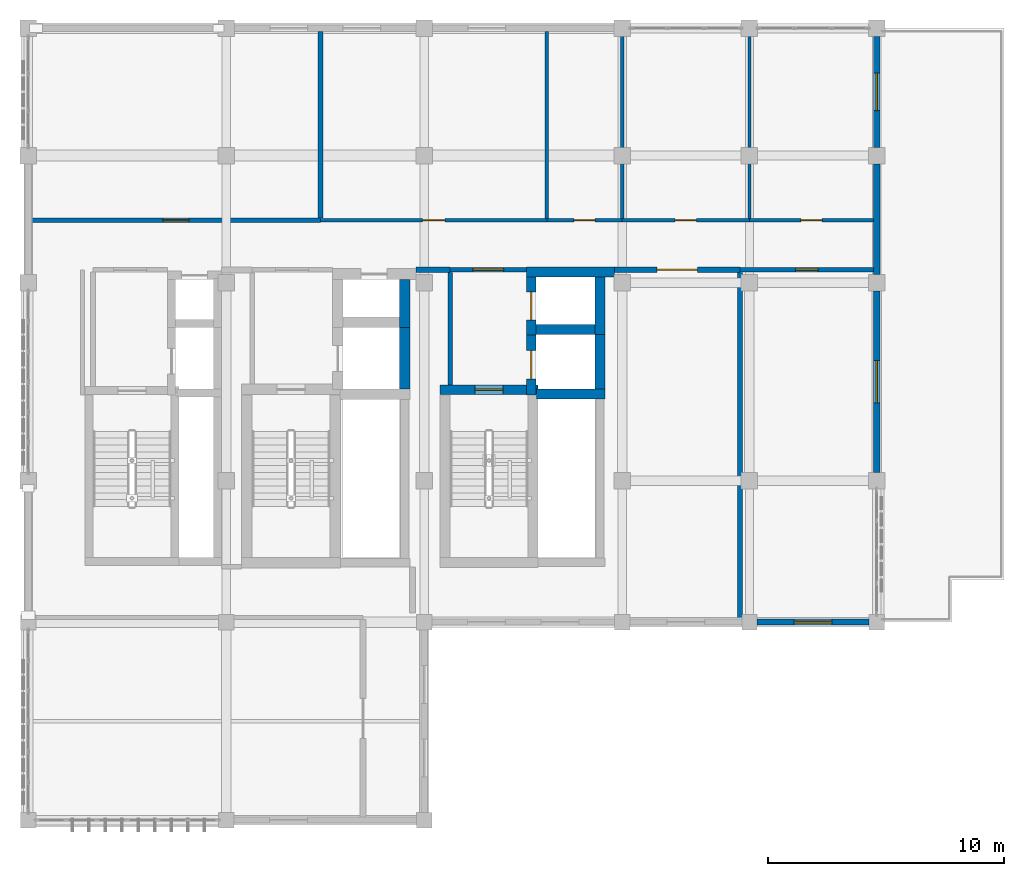
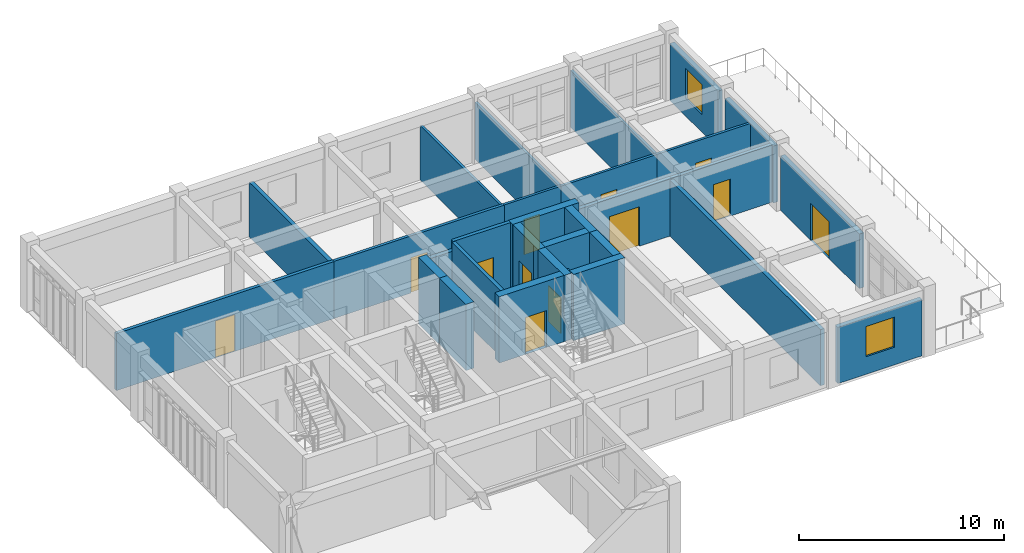
# One storey, part 20 of 23: 29 walls, 12 doors, 2 windows, 14 openings.
"""IFC4 building model written with IfcOpenShell, lengths in metres."""

from ifc_helpers import new_model, si_unit, direction, frame, frame_2d, origin, place, context, subcontext, project, spatial, rectangle, extrude, material, layer, layer_set, type_object, element, fill, save


model = new_model("IFC4")

# Units and contexts
model_context = context("Model", 3, precision=1e-05, world=origin(), true_north=direction((0.0, 1.0)))
body_context = subcontext(model_context, "Body", "Model", "MODEL_VIEW")
ifc_project = project(units=[si_unit("LENGTHUNIT", "METRE"), si_unit("AREAUNIT", "SQUARE_METRE"), si_unit("VOLUMEUNIT", "CUBIC_METRE"), si_unit("PLANEANGLEUNIT", "RADIAN"), si_unit("MASSUNIT", "GRAM", prefix="KILO")], contexts=[model_context])

# Site, building, storey
site_placement = place(None, origin())
site = spatial("IfcSite", under=ifc_project, at=site_placement, CompositionType="ELEMENT")
building_placement = place(site_placement, origin())
building = spatial("IfcBuilding", under=site, at=building_placement, Name="Krzemoval Escarpment Law Courts", CompositionType="ELEMENT")
storey_placement = place(building_placement, frame((0.0, 0.0, 33.60009765625)))
storey = spatial("IfcBuildingStorey", under=building, at=storey_placement, Name="L07", CompositionType="ELEMENT", Elevation=33.60009765625)

# Wall, opening, window
ifc_material_1 = material(Name="Precast concrete C40/50", Category="concrete")
ifc_layer_1 = layer(ifc_material_1, 0.260009765625)
ifc_layer_set_1 = layer_set([ifc_layer_1], Name="Precast concrete C40/50")
wall_type_1 = type_object("IfcWallType", Name="WL-EXT-260", PredefinedType="SOLIDWALL", material=ifc_layer_set_1)
wall_1_placement = place(storey_placement, frame((162.0, 118.449951171875, 0.0), z_axis=(0.0, 0.0, 1.0), x_axis=(0.0, -1.0, 0.0)))
wall_1 = element("IfcWall", 1, at=wall_1_placement, inside=storey, type_object=wall_type_1, Name="Exterior Wall EW-L07-0460", PredefinedType="SOLIDWALL", context=body_context, shape_type="SweptSolid", body=[
    extrude(rectangle(XDim=4.699951171875, YDim=0.260009765625, at=frame_2d((2.35009765625, 0.0))), origin(), (0.0, 0.0, 1.0), 3.39990234375),
])
opening_1_placement = place(wall_1_placement, frame((1.550048828125, 0.0, 1.050048828125)))
opening_1 = element("IfcOpeningElement", 2, at=opening_1_placement, cuts=wall_1, Name="Opening WN-L07-0539", PredefinedType="OPENING", context=body_context, shape_type="SweptSolid", body=[
    extrude(rectangle(XDim=1.60009765625, YDim=1.800048828125, at=frame_2d((0.800048828125, 0.89990234375))), frame((0.0, 0.145, 0.0), z_axis=(0.0, -1.0, 0.0), x_axis=(1.0, 0.0, 0.0)), (0.0, 0.0, 1.0), 0.29001),
])
ifc_material_2 = material(Name="Thermally Broken Aluminium Frame with Triple Low-E Acoustic Glass", Category="aluminium")
window_type = type_object("IfcWindowType", Name="WN-1600x1800", PartitioningType="SINGLE_PANEL", PredefinedType="WINDOW", material=ifc_material_2)
window_1_placement = place(opening_1_placement, origin())
window_1 = element("IfcWindow", 3, at=window_1_placement, inside=storey, type_object=window_type, Name="Facade Window WN-L07-0539", OverallHeight=1.800048828125, OverallWidth=1.60009765625, PartitioningType="SINGLE_PANEL", PredefinedType="WINDOW", context=body_context, shape_type="SweptSolid", body=[
    extrude(rectangle(XDim=1.60009765625, YDim=1.800048828125, at=frame_2d((0.800048828125, 0.89990234375))), frame((0.0, 0.030029296875, 0.0), z_axis=(0.0, -1.0, 0.0), x_axis=(1.0, 0.0, 0.0)), (0.0, 0.0, 1.0), 0.06005859375),
])
fill(opening_1, window_1)

# Wall
wall_2_placement = place(storey_placement, frame((162.0, 113.050048828125, 0.0), z_axis=(0.0, 0.0, 1.0), x_axis=(0.0, -1.0, 0.0)))
element("IfcWall", 4, at=wall_2_placement, inside=storey, type_object=wall_type_1, Name="Exterior Wall EW-L07-0461", PredefinedType="SOLIDWALL", context=body_context, shape_type="SweptSolid", body=[
    extrude(rectangle(XDim=4.699951171875, YDim=0.260009765625, at=frame_2d((2.35009765625, 0.0))), origin(), (0.0, 0.0, 1.0), 3.39990234375),
])

# Wall, opening, door
wall_3_placement = place(storey_placement, frame((162.0, 107.64990234375, 0.0), z_axis=(0.0, 0.0, 1.0), x_axis=(0.0, -1.0, 0.0)))
wall_3 = element("IfcWall", 5, at=wall_3_placement, inside=storey, type_object=wall_type_1, Name="Exterior Wall EW-L07-0462", PredefinedType="SOLIDWALL", context=body_context, shape_type="SweptSolid", body=[
    extrude(rectangle(XDim=7.699951171875, YDim=0.260009765625, at=frame_2d((3.85009765625, 0.0))), origin(), (0.0, 0.0, 1.0), 3.25),
])
opening_2_placement = place(wall_3_placement, frame((2.949951171875, 0.0, 0.0)))
opening_2 = element("IfcOpeningElement", 6, at=opening_2_placement, cuts=wall_3, Name="Opening TD-L07-25", PredefinedType="OPENING", context=body_context, shape_type="SweptSolid", body=[
    extrude(rectangle(XDim=1.800048828125, YDim=2.199951171875, at=frame_2d((0.89990234375, 1.10009765625))), frame((0.0, 0.145, 0.0), z_axis=(0.0, -1.0, 0.0), x_axis=(1.0, 0.0, 0.0)), (0.0, 0.0, 1.0), 0.29001),
])
ifc_material_3 = material(Name="Thermally Broken Aluminium and Laminated Safety Glass", Category="aluminium")
door_type_1 = type_object("IfcDoorType", Name="DR-TER-1800x2200", OperationType="SINGLE_SWING_LEFT", PredefinedType="DOOR", material=ifc_material_3)
door_1_placement = place(opening_2_placement, origin())
door_1 = element("IfcDoor", 7, at=door_1_placement, inside=storey, type_object=door_type_1, Name="Terrace Access Door TD-L07-25", OperationType="DOUBLE_DOOR_SINGLE_SWING", OverallHeight=2.199951171875, OverallWidth=1.800048828125, PredefinedType="DOOR", context=body_context, shape_type="SweptSolid", body=[
    extrude(rectangle(XDim=1.800048828125, YDim=2.199951171875, at=frame_2d((0.89990234375, 1.10009765625))), frame((0.0, 0.02490234375, 0.0), z_axis=(0.0, -1.0, 0.0), x_axis=(1.0, 0.0, 0.0)), (0.0, 0.0, 1.0), 0.050048828125),
])
fill(opening_2, door_1)

# Wall, opening, window
wall_4_placement = place(storey_placement, frame((161.675048828125, 93.60009765625, 0.0), z_axis=(0.0, 0.0, 1.0), x_axis=(-1.0, 0.0, 0.0)))
wall_4 = element("IfcWall", 8, at=wall_4_placement, inside=storey, type_object=wall_type_1, Name="Exterior Wall EW-L07-0463", PredefinedType="SOLIDWALL", context=body_context, shape_type="SweptSolid", body=[
    extrude(rectangle(XDim=4.75, YDim=0.260009765625, at=frame_2d((2.375, 0.0))), origin(), (0.0, 0.0, 1.0), 3.349853515625),
])
opening_3_placement = place(wall_4_placement, frame((1.574951171875, 0.0, 1.050048828125)))
opening_3 = element("IfcOpeningElement", 9, at=opening_3_placement, cuts=wall_4, Name="Opening WN-L07-0540", PredefinedType="OPENING", context=body_context, shape_type="SweptSolid", body=[
    extrude(rectangle(XDim=1.60009765625, YDim=1.800048828125, at=frame_2d((0.800048828125, 0.89990234375))), frame((0.0, 0.145, 0.0), z_axis=(0.0, -1.0, 0.0), x_axis=(1.0, 0.0, 0.0)), (0.0, 0.0, 1.0), 0.29001),
])
window_2_placement = place(opening_3_placement, origin())
window_2 = element("IfcWindow", 10, at=window_2_placement, inside=storey, type_object=window_type, Name="Facade Window WN-L07-0540", OverallHeight=1.800048828125, OverallWidth=1.60009765625, PartitioningType="SINGLE_PANEL", PredefinedType="WINDOW", context=body_context, shape_type="SweptSolid", body=[
    extrude(rectangle(XDim=1.60009765625, YDim=1.800048828125, at=frame_2d((0.800048828125, 0.89990234375))), frame((0.0, 0.030029296875, 0.0), z_axis=(0.0, -1.0, 0.0), x_axis=(1.0, 0.0, 0.0)), (0.0, 0.0, 1.0), 0.06005859375),
])
fill(opening_3, window_2)

# Wall, opening, door
ifc_material_4 = material(Name="Sanitary Moisture-Resistant Partition", Category="gypsum")
ifc_layer_2 = layer(ifc_material_4, 0.139892578125)
ifc_layer_set_2 = layer_set([ifc_layer_2], Name="Sanitary Moisture-Resistant Partition")
wall_type_2 = type_object("IfcWallType", Name="WL-PRT-140", PredefinedType="PARTITIONING", material=ifc_layer_set_2)
wall_5_placement = place(storey_placement, frame((148.0, 110.64990234375, 0.0), z_axis=(0.0, 0.0, 1.0), x_axis=(1.0, 0.0, 0.0)))
wall_5 = element("IfcWall", 11, at=wall_5_placement, inside=storey, type_object=wall_type_2, Name="Interior Partition PW-L07-0704", PredefinedType="PARTITIONING", context=body_context, shape_type="SweptSolid", body=[
    extrude(rectangle(XDim=3.199951171875, YDim=0.139892578125, at=frame_2d((1.60009765625, 0.0))), origin(), (0.0, 0.0, 1.0), 3.39990234375),
])
opening_4_placement = place(wall_5_placement, frame((1.14990234375, 0.0, 0.0)))
opening_4 = element("IfcOpeningElement", 12, at=opening_4_placement, cuts=wall_5, Name="Opening D-L07-0246", PredefinedType="OPENING", context=body_context, shape_type="SweptSolid", body=[
    extrude(rectangle(XDim=0.89990234375, YDim=2.10009765625, at=frame_2d((0.449951171875, 1.050048828125))), frame((0.0, 0.08495, 0.0), z_axis=(0.0, -1.0, 0.0), x_axis=(1.0, 0.0, 0.0)), (0.0, 0.0, 1.0), 0.16989),
])
ifc_material_5 = material(Name="Engineered Solid-Core Oak Acoustic Timber", Category="wood")
door_type_2 = type_object("IfcDoorType", Name="DR-INT-900x2100", OperationType="SINGLE_SWING_LEFT", PredefinedType="DOOR", material=ifc_material_5)
door_2_placement = place(opening_4_placement, origin())
door_2 = element("IfcDoor", 13, at=door_2_placement, inside=storey, type_object=door_type_2, Name="Room Door D-L07-0246", OperationType="SINGLE_SWING_RIGHT", OverallHeight=2.10009765625, OverallWidth=0.89990234375, PredefinedType="DOOR", context=body_context, shape_type="SweptSolid", body=[
    extrude(rectangle(XDim=0.89990234375, YDim=2.10009765625, at=frame_2d((0.449951171875, 1.050048828125))), frame((0.0, 0.02490234375, 0.0), z_axis=(0.0, -1.0, 0.0), x_axis=(1.0, 0.0, 0.0)), (0.0, 0.0, 1.0), 0.050048828125),
])
fill(opening_4, door_2)

wall_6_placement = place(storey_placement, frame((151.199951171875, 110.64990234375, 0.0), z_axis=(0.0, 0.0, 1.0), x_axis=(1.0, 0.0, 0.0)))
wall_6 = element("IfcWall", 14, at=wall_6_placement, inside=storey, type_object=wall_type_2, Name="Interior Partition PW-L07-0705", PredefinedType="PARTITIONING", context=body_context, shape_type="SweptSolid", body=[
    extrude(rectangle(XDim=5.400146484375, YDim=0.139892578125, at=frame_2d((2.7001953125, 0.0))), origin(), (0.0, 0.0, 1.0), 3.39990234375),
])
opening_5_placement = place(wall_6_placement, frame((2.25, 0.0, 0.0)))
opening_5 = element("IfcOpeningElement", 15, at=opening_5_placement, cuts=wall_6, Name="Opening D-L07-0247", PredefinedType="OPENING", context=body_context, shape_type="SweptSolid", body=[
    extrude(rectangle(XDim=0.89990234375, YDim=2.10009765625, at=frame_2d((0.449951171875, 1.050048828125))), frame((0.0, 0.08495, 0.0), z_axis=(0.0, -1.0, 0.0), x_axis=(1.0, 0.0, 0.0)), (0.0, 0.0, 1.0), 0.16989),
])
door_3_placement = place(opening_5_placement, origin())
door_3 = element("IfcDoor", 16, at=door_3_placement, inside=storey, type_object=door_type_2, Name="Room Door D-L07-0247", OperationType="SINGLE_SWING_LEFT", OverallHeight=2.10009765625, OverallWidth=0.89990234375, PredefinedType="DOOR", context=body_context, shape_type="SweptSolid", body=[
    extrude(rectangle(XDim=0.89990234375, YDim=2.10009765625, at=frame_2d((0.449951171875, 1.050048828125))), frame((0.0, 0.02490234375, 0.0), z_axis=(0.0, -1.0, 0.0), x_axis=(1.0, 0.0, 0.0)), (0.0, 0.0, 1.0), 0.050048828125),
])
fill(opening_5, door_3)

wall_7_placement = place(storey_placement, frame((156.60009765625, 110.64990234375, 0.0), z_axis=(0.0, 0.0, 1.0), x_axis=(1.0, 0.0, 0.0)))
wall_7 = element("IfcWall", 17, at=wall_7_placement, inside=storey, type_object=wall_type_2, Name="Interior Partition PW-L07-0706", PredefinedType="PARTITIONING", context=body_context, shape_type="SweptSolid", body=[
    extrude(rectangle(XDim=5.267822265625, YDim=0.139892578125, at=frame_2d((2.6337890625, 0.0))), origin(), (0.0, 0.0, 1.0), 3.39990234375),
])
opening_6_placement = place(wall_7_placement, frame((2.18408203125, 0.0, 0.0)))
opening_6 = element("IfcOpeningElement", 18, at=opening_6_placement, cuts=wall_7, Name="Opening D-L07-0248", PredefinedType="OPENING", context=body_context, shape_type="SweptSolid", body=[
    extrude(rectangle(XDim=0.89990234375, YDim=2.10009765625, at=frame_2d((0.449951171875, 1.050048828125))), frame((0.0, 0.08495, 0.0), z_axis=(0.0, -1.0, 0.0), x_axis=(1.0, 0.0, 0.0)), (0.0, 0.0, 1.0), 0.16989),
])
door_4_placement = place(opening_6_placement, origin())
door_4 = element("IfcDoor", 19, at=door_4_placement, inside=storey, type_object=door_type_2, Name="Room Door D-L07-0248", OperationType="SINGLE_SWING_RIGHT", OverallHeight=2.10009765625, OverallWidth=0.89990234375, PredefinedType="DOOR", context=body_context, shape_type="SweptSolid", body=[
    extrude(rectangle(XDim=0.89990234375, YDim=2.10009765625, at=frame_2d((0.449951171875, 1.050048828125))), frame((0.0, 0.02490234375, 0.0), z_axis=(0.0, -1.0, 0.0), x_axis=(1.0, 0.0, 0.0)), (0.0, 0.0, 1.0), 0.050048828125),
])
fill(opening_6, door_4)

# Walls
wall_8_placement = place(storey_placement, frame((148.0, 110.73193359375, 0.0), z_axis=(0.0, 0.0, 1.0), x_axis=(0.0, 1.0, 0.0)))
element("IfcWall", 20, at=wall_8_placement, inside=storey, type_object=wall_type_2, Name="Interior Partition PW-L07-0714", PredefinedType="PARTITIONING", context=body_context, shape_type="SweptSolid", body=[
    extrude(rectangle(XDim=7.93603515625, YDim=0.139892578125, at=frame_2d((3.968017578125, 0.0))), origin(), (0.0, 0.0, 1.0), 3.25),
])
wall_9_placement = place(storey_placement, frame((151.199951171875, 110.721923828125, 0.0), z_axis=(0.0, 0.0, 1.0), x_axis=(0.0, 1.0, 0.0)))
element("IfcWall", 21, at=wall_9_placement, inside=storey, type_object=wall_type_2, Name="Interior Partition PW-L07-0715", PredefinedType="PARTITIONING", context=body_context, shape_type="SweptSolid", body=[
    extrude(rectangle(XDim=8.156005859375, YDim=0.139892578125, at=frame_2d((4.078125, 0.0))), origin(), (0.0, 0.0, 1.0), 3.39990234375),
])
wall_10_placement = place(storey_placement, frame((156.60009765625, 110.721923828125, 0.0), z_axis=(0.0, 0.0, 1.0), x_axis=(0.0, 1.0, 0.0)))
element("IfcWall", 22, at=wall_10_placement, inside=storey, type_object=wall_type_2, Name="Interior Partition PW-L07-0717", PredefinedType="PARTITIONING", context=body_context, shape_type="SweptSolid", body=[
    extrude(rectangle(XDim=8.176025390625, YDim=0.139892578125, at=frame_2d((4.087890625, 0.0))), origin(), (0.0, 0.0, 1.0), 3.39990234375),
])

# Wall, opening, door
ifc_material_6 = material(Name="Jury Suite Partition Assembly", Category="gypsum")
ifc_layer_3 = layer(ifc_material_6, 0.159912109375)
ifc_layer_set_3 = layer_set([ifc_layer_3], Name="Jury Suite Partition Assembly")
wall_type_3 = type_object("IfcWallType", Name="WL-PRT-160", PredefinedType="PARTITIONING", material=ifc_layer_set_3)
wall_11_placement = place(storey_placement, frame((138.39990234375, 110.64990234375, 0.0), z_axis=(0.0, 0.0, 1.0), x_axis=(1.0, 0.0, 0.0)))
wall_11 = element("IfcWall", 23, at=wall_11_placement, inside=storey, type_object=wall_type_3, Name="Interior Partition PW-L07-0703", PredefinedType="PARTITIONING", context=body_context, shape_type="SweptSolid", body=[
    extrude(rectangle(XDim=9.60009765625, YDim=0.159912109375, at=frame_2d((4.800048828125, 0.0))), origin(), (0.0, 0.0, 1.0), 3.39990234375),
])
opening_7_placement = place(wall_11_placement, frame((4.324951171875, 0.0, 0.0)))
opening_7 = element("IfcOpeningElement", 24, at=opening_7_placement, cuts=wall_11, Name="Opening D-L07-0245", PredefinedType="OPENING", context=body_context, shape_type="SweptSolid", body=[
    extrude(rectangle(XDim=0.949951171875, YDim=2.10009765625, at=frame_2d((0.47509765625, 1.050048828125))), frame((0.0, 0.09496, 0.0), z_axis=(0.0, -1.0, 0.0), x_axis=(1.0, 0.0, 0.0)), (0.0, 0.0, 1.0), 0.18991),
])
ifc_material_7 = material(Name="Engineered Solid-Core Oak Acoustic Timber", Category="wood")
door_type_3 = type_object("IfcDoorType", Name="DR-INT-950x2100", OperationType="SINGLE_SWING_LEFT", PredefinedType="DOOR", material=ifc_material_7)
door_5_placement = place(opening_7_placement, origin())
door_5 = element("IfcDoor", 25, at=door_5_placement, inside=storey, type_object=door_type_3, Name="Room Door D-L07-0245", OperationType="SINGLE_SWING_LEFT", OverallHeight=2.10009765625, OverallWidth=0.949951171875, PredefinedType="DOOR", context=body_context, shape_type="SweptSolid", body=[
    extrude(rectangle(XDim=0.949951171875, YDim=2.10009765625, at=frame_2d((0.47509765625, 1.050048828125))), frame((0.0, 0.02490234375, 0.0), z_axis=(0.0, -1.0, 0.0), x_axis=(1.0, 0.0, 0.0)), (0.0, 0.0, 1.0), 0.050048828125),
])
fill(opening_7, door_5)

ifc_material_8 = material(Name="Judicial Chambers Acoustic Partition", Category="gypsum")
ifc_layer_4 = layer(ifc_material_8, 0.179931640625)
ifc_layer_set_4 = layer_set([ifc_layer_4], Name="Judicial Chambers Acoustic Partition")
wall_type_4 = type_object("IfcWallType", Name="WL-PRT-180", PredefinedType="PARTITIONING", material=ifc_layer_set_4)
wall_12_placement = place(storey_placement, frame((126.132080078125, 110.64990234375, 0.0), z_axis=(0.0, 0.0, 1.0), x_axis=(1.0, 0.0, 0.0)))
wall_12 = element("IfcWall", 26, at=wall_12_placement, inside=storey, type_object=wall_type_4, Name="Interior Partition PW-L07-0702", PredefinedType="PARTITIONING", context=body_context, shape_type="SweptSolid", body=[
    extrude(rectangle(XDim=12.267822265625, YDim=0.179931640625, at=frame_2d((6.1337890625, 0.0))), origin(), (0.0, 0.0, 1.0), 3.39990234375),
])
opening_8_placement = place(wall_12_placement, frame((5.583984375, 0.0, 0.0)))
opening_8 = element("IfcOpeningElement", 27, at=opening_8_placement, cuts=wall_12, Name="Opening D-L07-0244", PredefinedType="OPENING", context=body_context, shape_type="SweptSolid", body=[
    extrude(rectangle(XDim=1.10009765625, YDim=2.199951171875, at=frame_2d((0.550048828125, 1.10009765625))), frame((0.0, 0.10497, 0.0), z_axis=(0.0, -1.0, 0.0), x_axis=(1.0, 0.0, 0.0)), (0.0, 0.0, 1.0), 0.20993),
])
ifc_material_9 = material(Name="Engineered Solid-Core Oak Acoustic Timber", Category="wood")
door_type_4 = type_object("IfcDoorType", Name="DR-INT-1100x2200", OperationType="SINGLE_SWING_LEFT", PredefinedType="DOOR", material=ifc_material_9)
door_6_placement = place(opening_8_placement, origin())
door_6 = element("IfcDoor", 28, at=door_6_placement, inside=storey, type_object=door_type_4, Name="Room Door D-L07-0244", OperationType="SINGLE_SWING_RIGHT", OverallHeight=2.199951171875, OverallWidth=1.10009765625, PredefinedType="DOOR", context=body_context, shape_type="SweptSolid", body=[
    extrude(rectangle(XDim=1.10009765625, YDim=2.199951171875, at=frame_2d((0.550048828125, 1.10009765625))), frame((0.0, 0.02490234375, 0.0), z_axis=(0.0, -1.0, 0.0), x_axis=(1.0, 0.0, 0.0)), (0.0, 0.0, 1.0), 0.050048828125),
])
fill(opening_8, door_6)

ifc_material_10 = material(Name="Fire-Rated Corridor Partition Wall", Category="gypsum")
ifc_layer_5 = layer(ifc_material_10, 0.199951171875)
ifc_layer_set_5 = layer_set([ifc_layer_5], Name="Fire-Rated Corridor Partition Wall")
wall_type_5 = type_object("IfcWallType", Name="WL-PRT-200", PredefinedType="PARTITIONING", material=ifc_layer_set_5)
wall_13_placement = place(storey_placement, frame((143.89990234375, 108.550048828125, 0.0), z_axis=(0.0, 0.0, 1.0), x_axis=(1.0, 0.0, 0.0)))
wall_13 = element("IfcWall", 29, at=wall_13_placement, inside=storey, type_object=wall_type_5, Name="Interior Partition PW-L07-0697", PredefinedType="PARTITIONING", context=body_context, shape_type="SweptSolid", body=[
    extrude(rectangle(XDim=3.22998046875, YDim=0.199951171875, at=frame_2d((1.614990234375, 0.0))), origin(), (0.0, 0.0, 1.0), 3.949951171875),
])
opening_9_placement = place(wall_13_placement, frame((0.965087890625, 0.0, 0.0)))
opening_9 = element("IfcOpeningElement", 30, at=opening_9_placement, cuts=wall_13, Name="Opening D-L07-0242", PredefinedType="OPENING", context=body_context, shape_type="SweptSolid", body=[
    extrude(rectangle(XDim=1.300048828125, YDim=2.199951171875, at=frame_2d((0.64990234375, 1.10009765625))), frame((0.0, 0.11498, 0.0), z_axis=(0.0, -1.0, 0.0), x_axis=(1.0, 0.0, 0.0)), (0.0, 0.0, 1.0), 0.22995),
])
ifc_material_11 = material(Name="Galvanised Steel S355", Category="steel")
door_type_5 = type_object("IfcDoorType", Name="DR-STR-1300x2200", OperationType="SINGLE_SWING_LEFT", PredefinedType="DOOR", material=ifc_material_11)
door_7_placement = place(opening_9_placement, origin())
door_7 = element("IfcDoor", 31, at=door_7_placement, inside=storey, type_object=door_type_5, Name="Room Door D-L07-0242", OperationType="SINGLE_SWING_LEFT", OverallHeight=2.199951171875, OverallWidth=1.300048828125, PredefinedType="DOOR", context=body_context, shape_type="SweptSolid", body=[
    extrude(rectangle(XDim=1.300048828125, YDim=2.199951171875, at=frame_2d((0.64990234375, 1.10009765625))), frame((0.0, 0.02490234375, 0.0), z_axis=(0.0, -1.0, 0.0), x_axis=(1.0, 0.0, 0.0)), (0.0, 0.0, 1.0), 0.050048828125),
])
fill(opening_9, door_7)

wall_14_placement = place(storey_placement, frame((156.199951171875, 108.550048828125, 0.0), z_axis=(0.0, 0.0, 1.0), x_axis=(1.0, 0.0, 0.0)))
wall_14 = element("IfcWall", 32, at=wall_14_placement, inside=storey, type_object=wall_type_5, Name="Interior Partition PW-L07-0701", PredefinedType="PARTITIONING", context=body_context, shape_type="SweptSolid", body=[
    extrude(rectangle(XDim=5.66796875, YDim=0.199951171875, at=frame_2d((2.833984375, 0.0))), origin(), (0.0, 0.0, 1.0), 3.39990234375),
])
opening_10_placement = place(wall_14_placement, frame((2.35888671875, 0.0, 0.0)))
opening_10 = element("IfcOpeningElement", 33, at=opening_10_placement, cuts=wall_14, Name="Opening D-L07-0250", PredefinedType="OPENING", context=body_context, shape_type="SweptSolid", body=[
    extrude(rectangle(XDim=0.949951171875, YDim=2.199951171875, at=frame_2d((0.47509765625, 1.10009765625))), frame((0.0, 0.11498, 0.0), z_axis=(0.0, -1.0, 0.0), x_axis=(1.0, 0.0, 0.0)), (0.0, 0.0, 1.0), 0.22995),
])
ifc_material_12 = material(Name="Engineered Solid-Core Oak Acoustic Timber", Category="wood")
door_type_6 = type_object("IfcDoorType", Name="DR-INT-950x2200", OperationType="SINGLE_SWING_LEFT", PredefinedType="DOOR", material=ifc_material_12)
door_8_placement = place(opening_10_placement, origin())
door_8 = element("IfcDoor", 34, at=door_8_placement, inside=storey, type_object=door_type_6, Name="Room Door D-L07-0250", OperationType="SINGLE_SWING_LEFT", OverallHeight=2.199951171875, OverallWidth=0.949951171875, PredefinedType="DOOR", context=body_context, shape_type="SweptSolid", body=[
    extrude(rectangle(XDim=0.949951171875, YDim=2.199951171875, at=frame_2d((0.47509765625, 1.10009765625))), frame((0.0, 0.02490234375, 0.0), z_axis=(0.0, -1.0, 0.0), x_axis=(1.0, 0.0, 0.0)), (0.0, 0.0, 1.0), 0.050048828125),
])
fill(opening_10, door_8)

# Wall
wall_15_placement = place(storey_placement, frame((143.89990234375, 103.672119140625, 0.0), z_axis=(0.0, 0.0, 1.0), x_axis=(0.0, 1.0, 0.0)))
element("IfcWall", 35, at=wall_15_placement, inside=storey, type_object=wall_type_5, Name="Interior Partition PW-L07-0713", PredefinedType="PARTITIONING", context=body_context, shape_type="SweptSolid", body=[
    extrude(rectangle(XDim=4.755859375, YDim=0.199951171875, at=frame_2d((2.3779296875, 0.0))), origin(), (0.0, 0.0, 1.0), 3.949951171875),
])

# Wall, opening, door
ifc_material_13 = material(Name="Solid Calcium-Silicate Custody Blockwork Partition", Category="masonry")
ifc_layer_6 = layer(ifc_material_13, 0.219970703125)
ifc_layer_set_6 = layer_set([ifc_layer_6], Name="Solid Calcium-Silicate Custody Blockwork Partition")
wall_type_6 = type_object("IfcWallType", Name="WL-PRT-220", PredefinedType="PARTITIONING", material=ifc_layer_set_6)
wall_16_placement = place(storey_placement, frame((150.87109375, 108.550048828125, 0.0), z_axis=(0.0, 0.0, 1.0), x_axis=(1.0, 0.0, 0.0)))
wall_16 = element("IfcWall", 36, at=wall_16_placement, inside=storey, type_object=wall_type_6, Name="Interior Partition PW-L07-0700", PredefinedType="PARTITIONING", context=body_context, shape_type="SweptSolid", body=[
    extrude(rectangle(XDim=5.328857421875, YDim=0.219970703125, at=frame_2d((2.66455078125, 0.0))), origin(), (0.0, 0.0, 1.0), 3.39990234375),
])
opening_11_placement = place(wall_16_placement, frame((1.81396484375, 0.0, 0.0)))
opening_11 = element("IfcOpeningElement", 37, at=opening_11_placement, cuts=wall_16, Name="Opening D-L07-0249", PredefinedType="OPENING", context=body_context, shape_type="SweptSolid", body=[
    extrude(rectangle(XDim=1.699951171875, YDim=2.35009765625, at=frame_2d((0.85009765625, 1.175048828125))), frame((0.0, 0.12499, 0.0), z_axis=(0.0, -1.0, 0.0), x_axis=(1.0, 0.0, 0.0)), (0.0, 0.0, 1.0), 0.24997),
])
ifc_material_14 = material(Name="Engineered Solid-Core Oak Acoustic Timber", Category="wood")
door_type_7 = type_object("IfcDoorType", Name="DR-INT-1700x2350", OperationType="SINGLE_SWING_LEFT", PredefinedType="DOOR", material=ifc_material_14)
door_9_placement = place(opening_11_placement, origin())
door_9 = element("IfcDoor", 38, at=door_9_placement, inside=storey, type_object=door_type_7, Name="Room Door D-L07-0249", OperationType="SINGLE_SWING_LEFT", OverallHeight=2.35009765625, OverallWidth=1.699951171875, PredefinedType="DOOR", context=body_context, shape_type="SweptSolid", body=[
    extrude(rectangle(XDim=1.699951171875, YDim=2.35009765625, at=frame_2d((0.85009765625, 1.175048828125))), frame((0.0, 0.02490234375, 0.0), z_axis=(0.0, -1.0, 0.0), x_axis=(1.0, 0.0, 0.0)), (0.0, 0.0, 1.0), 0.050048828125),
])
fill(opening_11, door_9)

# Walls
wall_17_placement = place(storey_placement, frame((138.39990234375, 110.741943359375, 0.0), z_axis=(0.0, 0.0, 1.0), x_axis=(0.0, 1.0, 0.0)))
element("IfcWall", 39, at=wall_17_placement, inside=storey, type_object=wall_type_6, Name="Interior Partition PW-L07-0710", PredefinedType="PARTITIONING", context=body_context, shape_type="SweptSolid", body=[
    extrude(rectangle(XDim=7.926025390625, YDim=0.219970703125, at=frame_2d((3.962890625, 0.0))), origin(), (0.0, 0.0, 1.0), 3.25),
])
wall_18_placement = place(storey_placement, frame((156.199951171875, 93.73193359375, 0.0), z_axis=(0.0, 0.0, 1.0), x_axis=(0.0, 1.0, 0.0)))
element("IfcWall", 40, at=wall_18_placement, inside=storey, type_object=wall_type_6, Name="Interior Partition PW-L07-0716", PredefinedType="PARTITIONING", context=body_context, shape_type="SweptSolid", body=[
    extrude(rectangle(XDim=14.7060546875, YDim=0.219970703125, at=frame_2d((7.35302734375, 0.0))), origin(), (0.0, 0.0, 1.0), 3.349853515625),
])
ifc_material_15 = material(Name="Acoustic Courtroom Partition Assembly", Category="gypsum")
ifc_layer_7 = layer(ifc_material_15, 0.239990234375)
ifc_layer_set_7 = layer_set([ifc_layer_7], Name="Acoustic Courtroom Partition Assembly")
wall_type_7 = type_object("IfcWallType", Name="WL-PRT-240", PredefinedType="PARTITIONING", material=ifc_layer_set_7)
wall_19_placement = place(storey_placement, frame((142.4560546875, 108.550048828125, 0.0), z_axis=(0.0, 0.0, 1.0), x_axis=(1.0, 0.0, 0.0)))
element("IfcWall", 41, at=wall_19_placement, inside=storey, type_object=wall_type_7, Name="Interior Partition PW-L07-0699", PredefinedType="PARTITIONING", context=body_context, shape_type="SweptSolid", body=[
    extrude(rectangle(XDim=1.44384765625, YDim=0.239990234375, at=frame_2d((0.721923828125, 0.0))), origin(), (0.0, 0.0, 1.0), 3.39990234375),
])

# Wall, opening, door
ifc_material_16 = material(Name="Concrete C40/50", Category="concrete")
ifc_layer_8 = layer(ifc_material_16, 0.419921875)
ifc_layer_set_8 = layer_set([ifc_layer_8], Name="Concrete C40/50")
wall_type_8 = type_object("IfcWallType", Name="WL-SHW-420", PredefinedType="SHEAR", material=ifc_layer_set_8)
wall_20_placement = place(storey_placement, frame((143.47998046875, 103.4599609375, 0.0), z_axis=(0.0, 0.0, 1.0), x_axis=(1.0, 0.0, 0.0)))
wall_20 = element("IfcWall", 42, at=wall_20_placement, inside=storey, type_object=wall_type_8, Name="Core Stair Shear Wall SW-L07-0405", PredefinedType="SHEAR", context=body_context, shape_type="SweptSolid", body=[
    extrude(rectangle(XDim=4.14013671875, YDim=0.419921875, at=frame_2d((2.070068359375, 0.0))), origin(), (0.0, 0.0, 1.0), 3.949951171875),
])
opening_12_placement = place(wall_20_placement, frame((1.469970703125, 0.0, 0.0)))
opening_12 = element("IfcOpeningElement", 43, at=opening_12_placement, cuts=wall_20, Name="Opening SD-ST3-L07", PredefinedType="OPENING", context=body_context, shape_type="SweptSolid", body=[
    extrude(rectangle(XDim=1.199951171875, YDim=2.199951171875, at=frame_2d((0.60009765625, 1.10009765625))), frame((0.0, 0.22496, 0.0), z_axis=(0.0, -1.0, 0.0), x_axis=(1.0, 0.0, 0.0)), (0.0, 0.0, 1.0), 0.44992),
])
ifc_material_17 = material(Name="Galvanised Steel S355", Category="steel")
door_type_8 = type_object("IfcDoorType", Name="DR-STR-1200x2200", OperationType="SINGLE_SWING_LEFT", PredefinedType="DOOR", material=ifc_material_17)
door_10_placement = place(opening_12_placement, origin())
door_10 = element("IfcDoor", 44, at=door_10_placement, inside=storey, type_object=door_type_8, Name="Stair Exit Door SD-ST3-L07", OperationType="SINGLE_SWING_RIGHT", OverallHeight=2.199951171875, OverallWidth=1.199951171875, PredefinedType="DOOR", context=body_context, shape_type="SweptSolid", body=[
    extrude(rectangle(XDim=1.199951171875, YDim=2.199951171875, at=frame_2d((0.60009765625, 1.10009765625))), frame((0.0, 0.02490234375, 0.0), z_axis=(0.0, -1.0, 0.0), x_axis=(1.0, 0.0, 0.0)), (0.0, 0.0, 1.0), 0.050048828125),
])
fill(opening_12, door_10)

# Walls
wall_21_placement = place(storey_placement, frame((147.572998046875, 103.2900390625, 0.0), z_axis=(0.0, 0.0, 1.0), x_axis=(1.0, 0.0, 0.0)))
element("IfcWall", 45, at=wall_21_placement, inside=storey, type_object=wall_type_8, Name="Lift Shaft Shear Wall SW-L07-0409", PredefinedType="SHEAR", context=body_context, shape_type="SweptSolid", body=[
    extrude(rectangle(XDim=2.89697265625, YDim=0.419921875, at=frame_2d((1.448486328125, 0.0))), origin(), (0.0, 0.0, 1.0), 3.949951171875),
])
wall_22_placement = place(storey_placement, frame((147.1298828125, 106.010009765625, 0.0), z_axis=(0.0, 0.0, 1.0), x_axis=(1.0, 0.0, 0.0)))
element("IfcWall", 46, at=wall_22_placement, inside=storey, type_object=wall_type_8, Name="Lift Shaft Shear Wall SW-L07-0410", PredefinedType="SHEAR", context=body_context, shape_type="SweptSolid", body=[
    extrude(rectangle(XDim=3.340087890625, YDim=0.419921875, at=frame_2d((1.669921875, 0.0))), origin(), (0.0, 0.0, 1.0), 3.949951171875),
])

# Wall, opening, door
wall_23_placement = place(storey_placement, frame((147.340087890625, 103.242919921875, 0.0), z_axis=(0.0, 0.0, 1.0), x_axis=(0.0, 1.0, 0.0)))
wall_23 = element("IfcWall", 47, at=wall_23_placement, inside=storey, type_object=wall_type_8, Name="Lift Shaft Shear Wall SW-L07-0411", PredefinedType="SHEAR", context=body_context, shape_type="SweptSolid", body=[
    extrude(rectangle(XDim=2.55517578125, YDim=0.419921875, at=frame_2d((1.277587890625, 0.0))), origin(), (0.0, 0.0, 1.0), 3.949951171875),
])
opening_13_placement = place(wall_23_placement, frame((0.677978515625, 0.0, 0.0)))
opening_13 = element("IfcOpeningElement", 48, at=opening_13_placement, cuts=wall_23, Name="Opening LD-PL1-L07", PredefinedType="OPENING", context=body_context, shape_type="SweptSolid", body=[
    extrude(rectangle(XDim=1.199951171875, YDim=2.14990234375, at=frame_2d((0.60009765625, 1.074951171875))), frame((0.0, 0.22496, 0.0), z_axis=(0.0, -1.0, 0.0), x_axis=(1.0, 0.0, 0.0)), (0.0, 0.0, 1.0), 0.44992),
])
ifc_material_18 = material(Name="Engineered Solid-Core Oak Acoustic Timber", Category="wood")
door_type_9 = type_object("IfcDoorType", Name="DR-LFT-1200x2150", OperationType="SINGLE_SWING_LEFT", PredefinedType="DOOR", material=ifc_material_18)
door_11_placement = place(opening_13_placement, origin())
door_11 = element("IfcDoor", 49, at=door_11_placement, inside=storey, type_object=door_type_9, Name="Lift Landing Door LD-PL1-L07", OperationType="DOUBLE_DOOR_SLIDING", OverallHeight=2.14990234375, OverallWidth=1.199951171875, PredefinedType="DOOR", context=body_context, shape_type="SweptSolid", body=[
    extrude(rectangle(XDim=1.199951171875, YDim=2.14990234375, at=frame_2d((0.60009765625, 1.074951171875))), frame((0.0, 0.02490234375, 0.0), z_axis=(0.0, -1.0, 0.0), x_axis=(1.0, 0.0, 0.0)), (0.0, 0.0, 1.0), 0.050048828125),
])
fill(opening_13, door_11)

# Walls
wall_24_placement = place(storey_placement, frame((150.260009765625, 103.501953125, 0.0), z_axis=(0.0, 0.0, 1.0), x_axis=(0.0, 1.0, 0.0)))
element("IfcWall", 50, at=wall_24_placement, inside=storey, type_object=wall_type_8, Name="Lift Shaft Shear Wall SW-L07-0412", PredefinedType="SHEAR", context=body_context, shape_type="SweptSolid", body=[
    extrude(rectangle(XDim=2.296142578125, YDim=0.419921875, at=frame_2d((1.14794921875, 0.0))), origin(), (0.0, 0.0, 1.0), 3.949951171875),
])
wall_25_placement = place(storey_placement, frame((147.1298828125, 108.4599609375, 0.0), z_axis=(0.0, 0.0, 1.0), x_axis=(1.0, 0.0, 0.0)))
element("IfcWall", 51, at=wall_25_placement, inside=storey, type_object=wall_type_8, Name="Lift Shaft Shear Wall SW-L07-0413", PredefinedType="SHEAR", context=body_context, shape_type="SweptSolid", body=[
    extrude(rectangle(XDim=3.7412109375, YDim=0.419921875, at=frame_2d((1.87060546875, 0.0))), origin(), (0.0, 0.0, 1.0), 3.949951171875),
])

# Wall, opening, door
wall_26_placement = place(storey_placement, frame((147.340087890625, 105.79296875, 0.0), z_axis=(0.0, 0.0, 1.0), x_axis=(0.0, 1.0, 0.0)))
wall_26 = element("IfcWall", 52, at=wall_26_placement, inside=storey, type_object=wall_type_8, Name="Lift Shaft Shear Wall SW-L07-0414", PredefinedType="SHEAR", context=body_context, shape_type="SweptSolid", body=[
    extrude(rectangle(XDim=2.455078125, YDim=0.419921875, at=frame_2d((1.2275390625, 0.0))), origin(), (0.0, 0.0, 1.0), 3.949951171875),
])
opening_14_placement = place(wall_26_placement, frame((0.626953125, 0.0, 0.0)))
opening_14 = element("IfcOpeningElement", 53, at=opening_14_placement, cuts=wall_26, Name="Opening LD-PL2-L07", PredefinedType="OPENING", context=body_context, shape_type="SweptSolid", body=[
    extrude(rectangle(XDim=1.199951171875, YDim=2.14990234375, at=frame_2d((0.60009765625, 1.074951171875))), frame((0.0, 0.22496, 0.0), z_axis=(0.0, -1.0, 0.0), x_axis=(1.0, 0.0, 0.0)), (0.0, 0.0, 1.0), 0.44992),
])
door_12_placement = place(opening_14_placement, origin())
door_12 = element("IfcDoor", 54, at=door_12_placement, inside=storey, type_object=door_type_9, Name="Lift Landing Door LD-PL2-L07", OperationType="DOUBLE_DOOR_SLIDING", OverallHeight=2.14990234375, OverallWidth=1.199951171875, PredefinedType="DOOR", context=body_context, shape_type="SweptSolid", body=[
    extrude(rectangle(XDim=1.199951171875, YDim=2.14990234375, at=frame_2d((0.60009765625, 1.074951171875))), frame((0.0, 0.02490234375, 0.0), z_axis=(0.0, -1.0, 0.0), x_axis=(1.0, 0.0, 0.0)), (0.0, 0.0, 1.0), 0.050048828125),
])
fill(opening_14, door_12)

# Walls
wall_27_placement = place(storey_placement, frame((150.260009765625, 105.79296875, 0.0), z_axis=(0.0, 0.0, 1.0), x_axis=(0.0, 1.0, 0.0)))
element("IfcWall", 55, at=wall_27_placement, inside=storey, type_object=wall_type_8, Name="Lift Shaft Shear Wall SW-L07-0415", PredefinedType="SHEAR", context=body_context, shape_type="SweptSolid", body=[
    extrude(rectangle(XDim=2.455078125, YDim=0.419921875, at=frame_2d((1.2275390625, 0.0))), origin(), (0.0, 0.0, 1.0), 3.949951171875),
])
ifc_material_19 = material(Name="Concrete C40/50", Category="concrete")
ifc_layer_9 = layer(ifc_material_19, 0.449951171875)
ifc_layer_set_9 = layer_set([ifc_layer_9], Name="Concrete C40/50")
wall_type_9 = type_object("IfcWallType", Name="WL-SHW-450", PredefinedType="SHEAR", material=ifc_layer_set_9)
wall_28_placement = place(storey_placement, frame((141.97509765625, 103.501953125, 0.0), z_axis=(0.0, 0.0, 1.0), x_axis=(0.0, 1.0, 0.0)))
element("IfcWall", 56, at=wall_28_placement, inside=storey, type_object=wall_type_9, Name="Lift Shaft Shear Wall SW-L07-0262", PredefinedType="SHEAR", context=body_context, shape_type="SweptSolid", body=[
    extrude(rectangle(XDim=2.595947265625, YDim=0.449951171875, at=frame_2d((1.2978515625, 0.0))), origin(), (0.0, 0.0, 1.0), 3.949951171875),
])
wall_29_placement = place(storey_placement, frame((141.97509765625, 106.093017578125, 0.0), z_axis=(0.0, 0.0, 1.0), x_axis=(0.0, 1.0, 0.0)))
element("IfcWall", 57, at=wall_29_placement, inside=storey, type_object=wall_type_9, Name="Lift Shaft Shear Wall SW-L07-0265", PredefinedType="SHEAR", context=body_context, shape_type="SweptSolid", body=[
    extrude(rectangle(XDim=2.054931640625, YDim=0.449951171875, at=frame_2d((1.02734375, 0.0))), origin(), (0.0, 0.0, 1.0), 3.949951171875),
])

save(model, "model.ifc")
